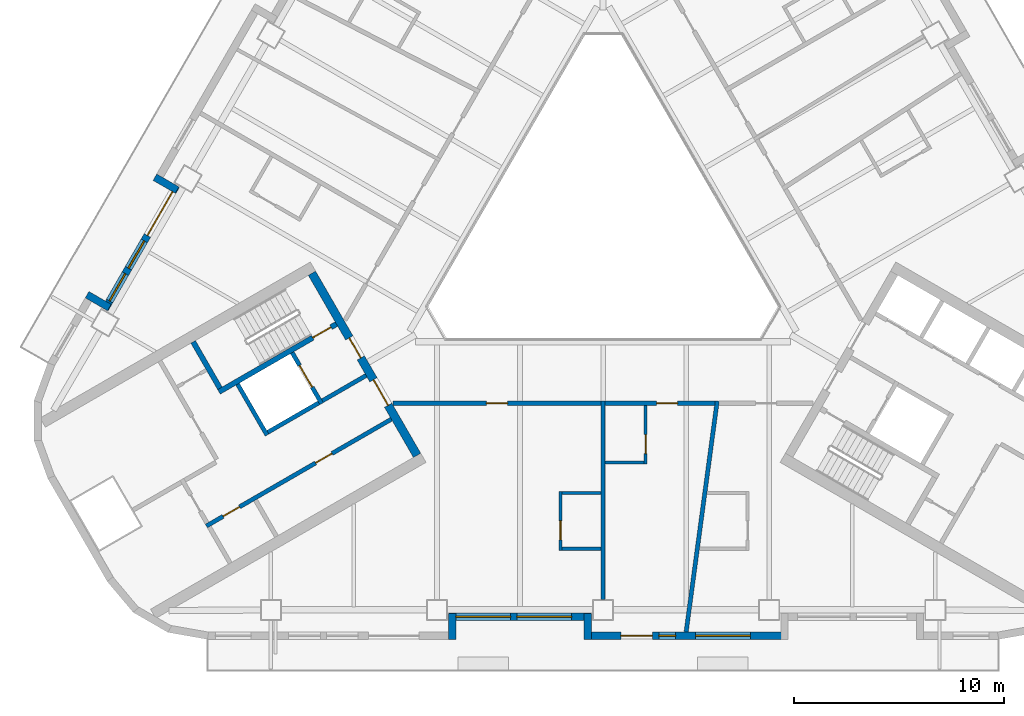
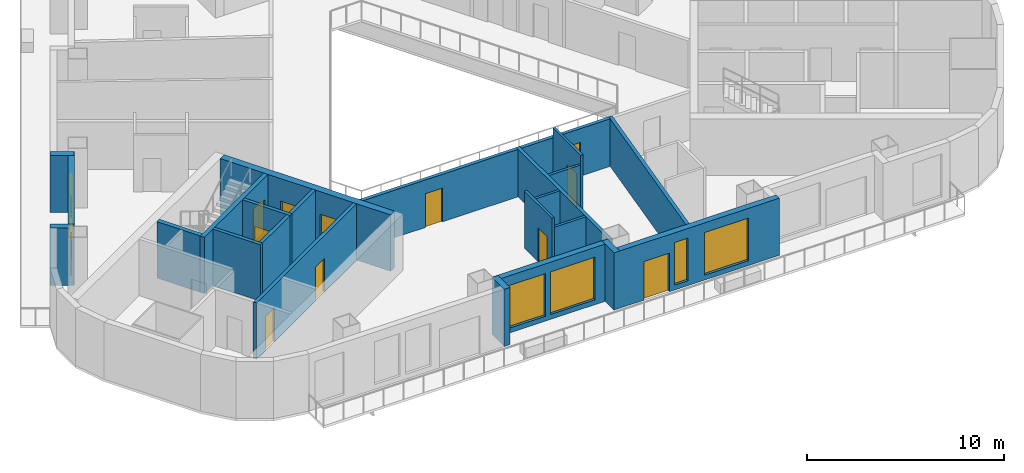
# One storey, part 3 of 13: 24 walls, 12 doors, 6 windows, 18 openings.
"""IFC4 building model written with IfcOpenShell, lengths in metres."""

from ifc_helpers import new_model, si_unit, direction, frame, frame_2d, origin, place, context, subcontext, project, spatial, rectangle, extrude, material, layer, layer_set, type_object, element, fill, save


model = new_model("IFC4")

# Units and contexts
model_context = context("Model", 3, precision=1e-05, world=origin(), true_north=direction((0.0, 1.0)))
body_context = subcontext(model_context, "Body", "Model", "MODEL_VIEW")
ifc_project = project(units=[si_unit("LENGTHUNIT", "METRE"), si_unit("AREAUNIT", "SQUARE_METRE"), si_unit("VOLUMEUNIT", "CUBIC_METRE"), si_unit("PLANEANGLEUNIT", "RADIAN"), si_unit("MASSUNIT", "GRAM", prefix="KILO")], contexts=[model_context])

# Site, building, storey
site_placement = place(None, origin())
site = spatial("IfcSite", under=ifc_project, at=site_placement, CompositionType="ELEMENT")
building_placement = place(site_placement, origin())
building = spatial("IfcBuilding", under=site, at=building_placement, Name="Apuvela Tower Hotel", CompositionType="ELEMENT")
storey_placement = place(building_placement, frame((0.0, 0.0, 65.0)))
storey = spatial("IfcBuildingStorey", under=building, at=storey_placement, Name="L13", CompositionType="ELEMENT", Elevation=65.0)

# Wall, openings, doors
ifc_material_1 = material(Name="Concrete C50/60", Category="concrete")
ifc_layer_1 = layer(ifc_material_1, 0.39990234375)
ifc_layer_set_1 = layer_set([ifc_layer_1], Name="COR-WALL-CORE-400")
wall_type_1 = type_object("IfcWallType", Name="COR-WALL-CORE-400", PredefinedType="SHEAR", material=ifc_layer_set_1)
wall_1_placement = place(storey_placement, frame((-13.844970703125, -2.219970703125, 0.0), z_axis=(0.0, 0.0, 1.0), x_axis=(0.500004234368, -0.866022959057, 0.0)))
wall_1 = element("IfcWall", 1, at=wall_1_placement, inside=storey, type_object=wall_type_1, Name="Core wall SW", PredefinedType="SHEAR", context=body_context, shape_type="SweptSolid", body=[
    extrude(rectangle(XDim=10.0, YDim=0.39990234375, at=frame_2d((5.0, 0.0))), origin(), (0.0, 0.0, 1.0), 3.5),
])
opening_1_placement = place(wall_1_placement, frame((3.550048828125, 0.0, 0.0)))
opening_1 = element("IfcOpeningElement", 2, at=opening_1_placement, cuts=wall_1, Name="Opening W-FD", PredefinedType="OPENING", context=body_context, shape_type="SweptSolid", body=[
    extrude(rectangle(XDim=1.10009765625, YDim=2.10009765625, at=frame_2d((0.550048828125, 1.050048828125))), frame((0.0, 0.2099609375, 0.0), z_axis=(0.0, -1.0, 0.0), x_axis=(1.0, 0.0, 0.0)), (0.0, 0.0, 1.0), 0.419921875),
])
opening_2_placement = place(wall_1_placement, frame((5.85009765625, 0.0, 0.0)))
opening_2 = element("IfcOpeningElement", 3, at=opening_2_placement, cuts=wall_1, Name="Opening W-GD", PredefinedType="OPENING", context=body_context, shape_type="SweptSolid", body=[
    extrude(rectangle(XDim=1.39990234375, YDim=2.10009765625, at=frame_2d((0.699951171875, 1.050048828125))), frame((0.0, 0.2099609375, 0.0), z_axis=(0.0, -1.0, 0.0), x_axis=(1.0, 0.0, 0.0)), (0.0, 0.0, 1.0), 0.419921875),
])
ifc_material_2 = material(Name="Steel fire door, powder coated", Category="steel")
door_type_1 = type_object("IfcDoorType", Name="COR-FD-1100", OperationType="NOTDEFINED", PredefinedType="DOOR", material=ifc_material_2)
door_1_placement = place(opening_1_placement, frame((1.10009765625, 0.0, 0.0), z_axis=(0.0, 0.0, 1.0), x_axis=(-1.0, 0.0, 0.0)))
door_1 = element("IfcDoor", 4, at=door_1_placement, inside=storey, type_object=door_type_1, Name="Firefighting lobby door W-FD", OperationType="SINGLE_SWING_LEFT", OverallHeight=2.10009765625, OverallWidth=1.10009765625, PredefinedType="DOOR", context=body_context, shape_type="SweptSolid", body=[
    extrude(rectangle(XDim=1.10009765625, YDim=2.10009765625, at=frame_2d((0.550048828125, 1.050048828125))), frame((0.0, 0.02490234375, 0.0), z_axis=(0.0, -1.0, 0.0), x_axis=(1.0, 0.0, 0.0)), (0.0, 0.0, 1.0), 0.050048828125),
])
fill(opening_1, door_1)
ifc_material_3 = material(Name="Glazed steel fire door", Category="steel")
door_type_2 = type_object("IfcDoorType", Name="COR-GD-1400", OperationType="DOUBLE_DOOR_SINGLE_SWING", PredefinedType="DOOR", material=ifc_material_3)
door_2_placement = place(opening_2_placement, frame((1.39990234375, 0.0, 0.0), z_axis=(0.0, 0.0, 1.0), x_axis=(-1.0, 0.0, 0.0)))
door_2 = element("IfcDoor", 5, at=door_2_placement, inside=storey, type_object=door_type_2, Name="Lift lobby door W-GD", OperationType="DOUBLE_DOOR_SINGLE_SWING", OverallHeight=2.10009765625, OverallWidth=1.39990234375, PredefinedType="DOOR", context=body_context, shape_type="SweptSolid", body=[
    extrude(rectangle(XDim=1.39990234375, YDim=2.10009765625, at=frame_2d((0.699951171875, 1.050048828125))), frame((0.0, 0.02490234375, 0.0), z_axis=(0.0, -1.0, 0.0), x_axis=(1.0, 0.0, 0.0)), (0.0, 0.0, 1.0), 0.050048828125),
])
fill(opening_2, door_2)

# Wall
ifc_layer_2 = layer(ifc_material_1, 0.199951171875)
ifc_layer_set_2 = layer_set([ifc_layer_2], Name="COR-WALL-SHAFT-200")
wall_type_2 = type_object("IfcWallType", Name="COR-WALL-SHAFT-200", PredefinedType="SHEAR", material=ifc_layer_set_2)
wall_2_placement = place(storey_placement, frame((-17.38134765625, -7.49462890625, 0.0), z_axis=(0.0, 0.0, 1.0), x_axis=(0.500011755427, -0.866018616679, 0.0)))
element("IfcWall", 6, at=wall_2_placement, inside=storey, type_object=wall_type_2, Name="Shaft wall SW", PredefinedType="SHEAR", context=body_context, shape_type="SweptSolid", body=[
    extrude(rectangle(XDim=2.80029296875, YDim=0.199951171875, at=frame_2d((1.400146484375, 0.0))), origin(), (0.0, 0.0, 1.0), 3.5),
])

# Wall, opening, door
wall_3_placement = place(storey_placement, frame((-14.783203125, -5.99462890625, 0.0), z_axis=(0.0, 0.0, 1.0), x_axis=(0.49994636267, -0.866056369097, 0.0)))
wall_3 = element("IfcWall", 7, at=wall_3_placement, inside=storey, type_object=wall_type_2, Name="Shaft wall SW", PredefinedType="SHEAR", context=body_context, shape_type="SweptSolid", body=[
    extrude(rectangle(XDim=2.800048828125, YDim=0.199951171875, at=frame_2d((1.39990234375, 0.0))), origin(), (0.0, 0.0, 1.0), 3.5),
])
opening_3_placement = place(wall_3_placement, frame((0.699951171875, 0.0, 0.0)))
opening_3 = element("IfcOpeningElement", 8, at=opening_3_placement, cuts=wall_3, Name="Opening W-LD-FS2", PredefinedType="OPENING", context=body_context, shape_type="SweptSolid", body=[
    extrude(rectangle(XDim=1.199951171875, YDim=2.10009765625, at=frame_2d((0.60009765625, 1.050048828125))), frame((0.0, 0.10986328125, 0.0), z_axis=(0.0, -1.0, 0.0), x_axis=(1.0, 0.0, 0.0)), (0.0, 0.0, 1.0), 0.219970703125),
])
ifc_material_4 = material(Name="Stainless steel lift landing door", Category="steel")
door_type_3 = type_object("IfcDoorType", Name="COR-LD-1200", OperationType="DOUBLE_DOOR_SLIDING", PredefinedType="DOOR", material=ifc_material_4)
door_3_placement = place(opening_3_placement, origin())
door_3 = element("IfcDoor", 9, at=door_3_placement, inside=storey, type_object=door_type_3, Name="Lift landing door W-LD-FS2", OperationType="DOUBLE_DOOR_SLIDING", OverallHeight=2.10009765625, OverallWidth=1.199951171875, PredefinedType="DOOR", context=body_context, shape_type="SweptSolid", body=[
    extrude(rectangle(XDim=1.199951171875, YDim=2.10009765625, at=frame_2d((0.60009765625, 1.050048828125))), frame((0.0, 0.02490234375, 0.0), z_axis=(0.0, -1.0, 0.0), x_axis=(1.0, 0.0, 0.0)), (0.0, 0.0, 1.0), 0.050048828125),
])
fill(opening_3, door_3)

# Walls
wall_4_placement = place(storey_placement, frame((-13.519775390625, -8.383056640625, 0.0), z_axis=(0.0, 0.0, 1.0), x_axis=(-0.866034573852, -0.49998411664, 0.0)))
element("IfcWall", 10, at=wall_4_placement, inside=storey, type_object=wall_type_2, Name="Shaft wall SW", PredefinedType="SHEAR", context=body_context, shape_type="SweptSolid", body=[
    extrude(rectangle(XDim=2.7998046875, YDim=0.199951171875, at=frame_2d((1.39990234375, 0.0))), origin(), (0.0, 0.0, 1.0), 3.5),
])
wall_5_placement = place(storey_placement, frame((-11.26806640625, -7.0830078125, 0.0), z_axis=(0.0, 0.0, 1.0), x_axis=(-0.866050077142, -0.499957262057, 0.0)))
element("IfcWall", 11, at=wall_5_placement, inside=storey, type_object=wall_type_2, Name="Shaft wall SW", PredefinedType="SHEAR", context=body_context, shape_type="SweptSolid", body=[
    extrude(rectangle(XDim=2.400146484375, YDim=0.199951171875, at=frame_2d((1.2001953125, 0.0))), origin(), (0.0, 0.0, 1.0), 3.5),
])

# Wall, openings, doors
wall_6_placement = place(storey_placement, frame((-10.068115234375, -9.16162109375, 0.0), z_axis=(0.0, 0.0, 1.0), x_axis=(-0.866032725843, -0.499987317609, 0.0)))
wall_6 = element("IfcWall", 12, at=wall_6_placement, inside=storey, type_object=wall_type_2, Name="Shaft wall SW", PredefinedType="SHEAR", context=body_context, shape_type="SweptSolid", body=[
    extrude(rectangle(XDim=10.159912109375, YDim=0.199951171875, at=frame_2d((5.080078125, 0.0))), origin(), (0.0, 0.0, 1.0), 3.5),
])
opening_4_placement = place(wall_6_placement, frame((3.260009765625, 0.0, 0.0)))
opening_4 = element("IfcOpeningElement", 13, at=opening_4_placement, cuts=wall_6, Name="Opening W-RE1", PredefinedType="OPENING", context=body_context, shape_type="SweptSolid", body=[
    extrude(rectangle(XDim=0.89990234375, YDim=2.10009765625, at=frame_2d((0.449951171875, 1.050048828125))), frame((0.0, 0.10986328125, 0.0), z_axis=(0.0, -1.0, 0.0), x_axis=(1.0, 0.0, 0.0)), (0.0, 0.0, 1.0), 0.219970703125),
])
opening_5_placement = place(wall_6_placement, frame((8.340087890625, 0.0, 0.0)))
opening_5 = element("IfcOpeningElement", 14, at=opening_5_placement, cuts=wall_6, Name="Opening W-RE4", PredefinedType="OPENING", context=body_context, shape_type="SweptSolid", body=[
    extrude(rectangle(XDim=0.89990234375, YDim=2.10009765625, at=frame_2d((0.449951171875, 1.050048828125))), frame((0.0, 0.10986328125, 0.0), z_axis=(0.0, -1.0, 0.0), x_axis=(1.0, 0.0, 0.0)), (0.0, 0.0, 1.0), 0.219970703125),
])
door_type_4 = type_object("IfcDoorType", Name="COR-DR-900", OperationType="NOTDEFINED", PredefinedType="DOOR", material=ifc_material_2)
door_4_placement = place(opening_4_placement, origin())
door_4 = element("IfcDoor", 15, at=door_4_placement, inside=storey, type_object=door_type_4, Name="Store door W-RE1", OperationType="SINGLE_SWING_LEFT", OverallHeight=2.10009765625, OverallWidth=0.89990234375, PredefinedType="DOOR", context=body_context, shape_type="SweptSolid", body=[
    extrude(rectangle(XDim=0.89990234375, YDim=2.10009765625, at=frame_2d((0.449951171875, 1.050048828125))), frame((0.0, 0.02490234375, 0.0), z_axis=(0.0, -1.0, 0.0), x_axis=(1.0, 0.0, 0.0)), (0.0, 0.0, 1.0), 0.050048828125),
])
fill(opening_4, door_4)
door_5_placement = place(opening_5_placement, origin())
door_5 = element("IfcDoor", 16, at=door_5_placement, inside=storey, type_object=door_type_4, Name="Store door W-RE4", OperationType="SINGLE_SWING_RIGHT", OverallHeight=2.10009765625, OverallWidth=0.89990234375, PredefinedType="DOOR", context=body_context, shape_type="SweptSolid", body=[
    extrude(rectangle(XDim=0.89990234375, YDim=2.10009765625, at=frame_2d((0.449951171875, 1.050048828125))), frame((0.0, 0.02490234375, 0.0), z_axis=(0.0, -1.0, 0.0), x_axis=(1.0, 0.0, 0.0)), (0.0, 0.0, 1.0), 0.050048828125),
])
fill(opening_5, door_5)

# Wall, opening, door
ifc_layer_3 = layer(ifc_material_1, 0.25)
ifc_layer_set_3 = layer_set([ifc_layer_3], Name="COR-WALL-STAIR-250")
wall_type_3 = type_object("IfcWallType", Name="COR-WALL-STAIR-250", PredefinedType="SHEAR", material=ifc_layer_set_3)
wall_7_placement = place(storey_placement, frame((-12.6806640625, -4.636474609375, 0.0), z_axis=(0.0, 0.0, 1.0), x_axis=(-0.866021702275, -0.500006411147, 0.0)))
wall_7 = element("IfcWall", 17, at=wall_7_placement, inside=storey, type_object=wall_type_3, Name="Stair wall SW", PredefinedType="SHEAR", context=body_context, shape_type="SweptSolid", body=[
    extrude(rectangle(XDim=6.4501953125, YDim=0.25, at=frame_2d((3.22509765625, 0.0))), origin(), (0.0, 0.0, 1.0), 3.5),
])
opening_6_placement = place(wall_7_placement, frame((0.300048828125, 0.0, 0.0)))
opening_6 = element("IfcOpeningElement", 18, at=opening_6_placement, cuts=wall_7, Name="Opening W-SD", PredefinedType="OPENING", context=body_context, shape_type="SweptSolid", body=[
    extrude(rectangle(XDim=1.0, YDim=2.10009765625, at=frame_2d((0.5, 1.050048828125))), frame((0.0, 0.135009765625, 0.0), z_axis=(0.0, -1.0, 0.0), x_axis=(1.0, 0.0, 0.0)), (0.0, 0.0, 1.0), 0.27001953125),
])
door_type_5 = type_object("IfcDoorType", Name="COR-SD-1000", OperationType="NOTDEFINED", PredefinedType="DOOR", material=ifc_material_2)
door_6_placement = place(opening_6_placement, frame((1.0, 0.0, 0.0), z_axis=(0.0, 0.0, 1.0), x_axis=(-1.0, 0.0, 0.0)))
door_6 = element("IfcDoor", 19, at=door_6_placement, inside=storey, type_object=door_type_5, Name="Stair door W-SD", OperationType="SINGLE_SWING_LEFT", OverallHeight=2.10009765625, OverallWidth=1.0, PredefinedType="DOOR", context=body_context, shape_type="SweptSolid", body=[
    extrude(rectangle(XDim=1.0, YDim=2.10009765625, at=frame_2d((0.5, 1.050048828125))), frame((0.0, 0.02490234375, 0.0), z_axis=(0.0, -1.0, 0.0), x_axis=(1.0, 0.0, 0.0)), (0.0, 0.0, 1.0), 0.050048828125),
])
fill(opening_6, door_6)

# Walls
wall_8_placement = place(storey_placement, frame((-19.49560546875, -5.482421875, 0.0), z_axis=(0.0, 0.0, 1.0), x_axis=(0.499990435942, -0.866030925526, 0.0)))
element("IfcWall", 20, at=wall_8_placement, inside=storey, type_object=wall_type_3, Name="Stair wall SW", PredefinedType="SHEAR", context=body_context, shape_type="SweptSolid", body=[
    extrude(rectangle(XDim=2.5498046875, YDim=0.25, at=frame_2d((1.27490234375, 0.0))), origin(), (0.0, 0.0, 1.0), 3.5),
])
ifc_material_5 = material(Name="Concrete C40/50, dark pigmented precast panel", Category="concrete")
ifc_layer_4 = layer(ifc_material_5, 0.35009765625)
ifc_layer_set_4 = layer_set([ifc_layer_4], Name="ENV-WALL-350")
wall_type_4 = type_object("IfcWallType", Name="ENV-WALL-350", PredefinedType="SOLIDWALL", material=ifc_layer_set_4)
wall_9_placement = place(storey_placement, frame((-21.3125, 2.345703125, 0.0), z_axis=(0.0, 0.0, 1.0), x_axis=(0.866005645448, -0.500034220881, 0.0)))
element("IfcWall", 21, at=wall_9_placement, inside=storey, type_object=wall_type_4, Name="External wall L13-06", PredefinedType="SOLIDWALL", context=body_context, shape_type="SweptSolid", body=[
    extrude(rectangle(XDim=1.22021484375, YDim=0.35009765625, at=frame_2d((0.610107421875, 0.0))), origin(), (0.0, 0.0, 1.0), 3.550048828125),
])

# Wall, openings, door, windows
wall_10_placement = place(storey_placement, frame((-20.30908203125, 1.93359375, 0.0), z_axis=(0.0, 0.0, 1.0), x_axis=(-0.499992114976, -0.866029956157, 0.0)))
wall_10 = element("IfcWall", 22, at=wall_10_placement, inside=storey, type_object=wall_type_4, Name="External wall L13-07", PredefinedType="SOLIDWALL", context=body_context, shape_type="SweptSolid", body=[
    extrude(rectangle(XDim=6.73974609375, YDim=0.35009765625, at=frame_2d((3.369873046875, 0.0))), origin(), (0.0, 0.0, 1.0), 3.550048828125),
])
opening_7_placement = place(wall_10_placement, frame((0.320068359375, 0.0, 0.0)))
opening_7 = element("IfcOpeningElement", 23, at=opening_7_placement, cuts=wall_10, Name="Opening BD24", PredefinedType="OPENING", context=body_context, shape_type="SweptSolid", body=[
    extrude(rectangle(XDim=2.39990234375, YDim=2.39990234375, at=frame_2d((1.199951171875, 1.199951171875))), frame((0.0, 0.18505859375, 0.0), z_axis=(0.0, -1.0, 0.0), x_axis=(1.0, 0.0, 0.0)), (0.0, 0.0, 1.0), 0.3701171875),
])
opening_8_placement = place(wall_10_placement, frame((3.02001953125, 0.0, 0.300048828125)))
opening_8 = element("IfcOpeningElement", 24, at=opening_8_placement, cuts=wall_10, Name="Opening WN15", PredefinedType="OPENING", context=body_context, shape_type="SweptSolid", body=[
    extrude(rectangle(XDim=1.5, YDim=2.64990234375, at=frame_2d((0.75, 1.324951171875))), frame((0.0, 0.18505859375, 0.0), z_axis=(0.0, -1.0, 0.0), x_axis=(1.0, 0.0, 0.0)), (0.0, 0.0, 1.0), 0.3701171875),
])
opening_9_placement = place(wall_10_placement, frame((4.820068359375, 0.0, 0.300048828125)))
opening_9 = element("IfcOpeningElement", 25, at=opening_9_placement, cuts=wall_10, Name="Opening WN15", PredefinedType="OPENING", context=body_context, shape_type="SweptSolid", body=[
    extrude(rectangle(XDim=1.5, YDim=2.64990234375, at=frame_2d((0.75, 1.324951171875))), frame((0.0, 0.18505859375, 0.0), z_axis=(0.0, -1.0, 0.0), x_axis=(1.0, 0.0, 0.0)), (0.0, 0.0, 1.0), 0.3701171875),
])
ifc_material_6 = material(Name="Aluminium 6063-T6, dark bronze anodised frame with dark tinted laminated glass", Category="aluminium")
door_type_6 = type_object("IfcDoorType", Name="ENV-DOOR-BALCONY-2400x2400", OperationType="SLIDING_TO_LEFT", PredefinedType="DOOR", material=ifc_material_6)
door_7_placement = place(opening_7_placement, frame((2.39990234375, 0.0, 0.0), z_axis=(0.0, 0.0, 1.0), x_axis=(-1.0, 0.0, 0.0)))
door_7 = element("IfcDoor", 26, at=door_7_placement, inside=storey, type_object=door_type_6, Name="Balcony door BD24", OperationType="SLIDING_TO_LEFT", OverallHeight=2.39990234375, OverallWidth=2.39990234375, PredefinedType="DOOR", context=body_context, shape_type="SweptSolid", body=[
    extrude(rectangle(XDim=2.39990234375, YDim=2.39990234375, at=frame_2d((1.199951171875, 1.199951171875))), frame((0.0, 0.02490234375, 0.0), z_axis=(0.0, -1.0, 0.0), x_axis=(1.0, 0.0, 0.0)), (0.0, 0.0, 1.0), 0.050048828125),
])
fill(opening_7, door_7)
ifc_material_7 = material(Name="Glass, dark tinted laminated insulated glazing unit", Category="glass")
window_type_1 = type_object("IfcWindowType", Name="ENV-WIN-1500x2650", PartitioningType="SINGLE_PANEL", PredefinedType="WINDOW", material=ifc_material_7)
window_1_placement = place(opening_8_placement, origin())
window_1 = element("IfcWindow", 27, at=window_1_placement, inside=storey, type_object=window_type_1, Name="Window WN15", OverallHeight=2.64990234375, OverallWidth=1.5, PartitioningType="SINGLE_PANEL", PredefinedType="WINDOW", context=body_context, shape_type="SweptSolid", body=[
    extrude(rectangle(XDim=1.5, YDim=2.64990234375, at=frame_2d((0.75, 1.324951171875))), frame((0.0, 0.030029296875, 0.0), z_axis=(0.0, -1.0, 0.0), x_axis=(1.0, 0.0, 0.0)), (0.0, 0.0, 1.0), 0.06005859375),
])
fill(opening_8, window_1)
window_2_placement = place(opening_9_placement, origin())
window_2 = element("IfcWindow", 28, at=window_2_placement, inside=storey, type_object=window_type_1, Name="Window WN15", OverallHeight=2.64990234375, OverallWidth=1.5, PartitioningType="SINGLE_PANEL", PredefinedType="WINDOW", context=body_context, shape_type="SweptSolid", body=[
    extrude(rectangle(XDim=1.5, YDim=2.64990234375, at=frame_2d((0.75, 1.324951171875))), frame((0.0, 0.030029296875, 0.0), z_axis=(0.0, -1.0, 0.0), x_axis=(1.0, 0.0, 0.0)), (0.0, 0.0, 1.0), 0.06005859375),
])
fill(opening_9, window_2)

# Walls
for number, where, z_axis, x_axis, name in (
    (29, (-23.48095703125, -3.85009765625, 0.0), (0.0, 0.0, 1.0), (-0.866092288191, 0.499884134912, 0.0), "External wall L13-08"),
    (30, (-7.175048828125, -19.6298828125, 0.0), (0.0, 0.0, 1.0), (0.0, 1.0, 0.0), "External wall L13-18"),
):
    element("IfcWall", number, at=place(storey_placement, frame(where, z_axis=z_axis, x_axis=x_axis)), inside=storey, type_object=wall_type_4, Name=name, PredefinedType="SOLIDWALL", context=body_context, shape_type="SweptSolid", body=[
        extrude(rectangle(XDim=1.219970703125, YDim=0.35009765625, at=frame_2d((0.60986328125, 0.0))), origin(), (0.0, 0.0, 1.0), 3.550048828125),
    ])

# Wall, openings, windows
wall_11_placement = place(storey_placement, frame((-7.320068359375, -18.554931640625, 0.0), z_axis=(0.0, 0.0, 1.0), x_axis=(1.0, 0.0, 0.0)))
wall_11 = element("IfcWall", 31, at=wall_11_placement, inside=storey, type_object=wall_type_4, Name="External wall L13-19", PredefinedType="SOLIDWALL", context=body_context, shape_type="SweptSolid", body=[
    extrude(rectangle(XDim=6.739990234375, YDim=0.35009765625, at=frame_2d((3.3701171875, 0.0))), origin(), (0.0, 0.0, 1.0), 3.550048828125),
])
opening_10_placement = place(wall_11_placement, frame((0.3203125, 0.0, 0.300048828125)))
opening_10 = element("IfcOpeningElement", 32, at=opening_10_placement, cuts=wall_11, Name="Opening WN26", PredefinedType="OPENING", context=body_context, shape_type="SweptSolid", body=[
    extrude(rectangle(XDim=2.60009765625, YDim=2.64990234375, at=frame_2d((1.300048828125, 1.324951171875))), frame((0.0, 0.18505859375, 0.0), z_axis=(0.0, -1.0, 0.0), x_axis=(1.0, 0.0, 0.0)), (0.0, 0.0, 1.0), 0.3701171875),
])
opening_11_placement = place(wall_11_placement, frame((3.220458984375, 0.0, 0.300048828125)))
opening_11 = element("IfcOpeningElement", 33, at=opening_11_placement, cuts=wall_11, Name="Opening WN26", PredefinedType="OPENING", context=body_context, shape_type="SweptSolid", body=[
    extrude(rectangle(XDim=2.60009765625, YDim=2.64990234375, at=frame_2d((1.300048828125, 1.324951171875))), frame((0.0, 0.18505859375, 0.0), z_axis=(0.0, -1.0, 0.0), x_axis=(1.0, 0.0, 0.0)), (0.0, 0.0, 1.0), 0.3701171875),
])
window_type_2 = type_object("IfcWindowType", Name="ENV-WIN-2600x2650", PartitioningType="SINGLE_PANEL", PredefinedType="WINDOW", material=ifc_material_7)
window_3_placement = place(opening_10_placement, origin())
window_3 = element("IfcWindow", 34, at=window_3_placement, inside=storey, type_object=window_type_2, Name="Window WN26", OverallHeight=2.64990234375, OverallWidth=2.60009765625, PartitioningType="SINGLE_PANEL", PredefinedType="WINDOW", context=body_context, shape_type="SweptSolid", body=[
    extrude(rectangle(XDim=2.60009765625, YDim=2.64990234375, at=frame_2d((1.300048828125, 1.324951171875))), frame((0.0, 0.030029296875, 0.0), z_axis=(0.0, -1.0, 0.0), x_axis=(1.0, 0.0, 0.0)), (0.0, 0.0, 1.0), 0.06005859375),
])
fill(opening_10, window_3)
window_4_placement = place(opening_11_placement, origin())
window_4 = element("IfcWindow", 35, at=window_4_placement, inside=storey, type_object=window_type_2, Name="Window WN26", OverallHeight=2.64990234375, OverallWidth=2.60009765625, PartitioningType="SINGLE_PANEL", PredefinedType="WINDOW", context=body_context, shape_type="SweptSolid", body=[
    extrude(rectangle(XDim=2.60009765625, YDim=2.64990234375, at=frame_2d((1.300048828125, 1.324951171875))), frame((0.0, 0.030029296875, 0.0), z_axis=(0.0, -1.0, 0.0), x_axis=(1.0, 0.0, 0.0)), (0.0, 0.0, 1.0), 0.06005859375),
])
fill(opening_11, window_4)

# Wall
wall_12_placement = place(storey_placement, frame((-0.72509765625, -18.409912109375, 0.0), z_axis=(0.0, 0.0, 1.0), x_axis=(0.0, -1.0, 0.0)))
element("IfcWall", 36, at=wall_12_placement, inside=storey, type_object=wall_type_4, Name="External wall L13-20", PredefinedType="SOLIDWALL", context=body_context, shape_type="SweptSolid", body=[
    extrude(rectangle(XDim=1.219970703125, YDim=0.35009765625, at=frame_2d((0.60986328125, 0.0))), origin(), (0.0, 0.0, 1.0), 3.550048828125),
])

# Wall, openings, door, windows
wall_13_placement = place(storey_placement, frame((-0.89990234375, -19.455078125, 0.0), z_axis=(0.0, 0.0, 1.0), x_axis=(1.0, 0.0, 0.0)))
wall_13 = element("IfcWall", 37, at=wall_13_placement, inside=storey, type_object=wall_type_4, Name="External wall L13-21", PredefinedType="SOLIDWALL", context=body_context, shape_type="SweptSolid", body=[
    extrude(rectangle(XDim=9.699951171875, YDim=0.35009765625, at=frame_2d((4.85009765625, 0.0))), origin(), (0.0, 0.0, 1.0), 3.550048828125),
])
opening_12_placement = place(wall_13_placement, frame((1.75, 0.0, 0.0)))
opening_12 = element("IfcOpeningElement", 38, at=opening_12_placement, cuts=wall_13, Name="Opening BD15", PredefinedType="OPENING", context=body_context, shape_type="SweptSolid", body=[
    extrude(rectangle(XDim=1.5, YDim=2.39990234375, at=frame_2d((0.75, 1.199951171875))), frame((0.0, 0.18505859375, 0.0), z_axis=(0.0, -1.0, 0.0), x_axis=(1.0, 0.0, 0.0)), (0.0, 0.0, 1.0), 0.3701171875),
])
opening_13_placement = place(wall_13_placement, frame((3.550048828125, 0.0, 0.300048828125)))
opening_13 = element("IfcOpeningElement", 39, at=opening_13_placement, cuts=wall_13, Name="Opening WN08", PredefinedType="OPENING", context=body_context, shape_type="SweptSolid", body=[
    extrude(rectangle(XDim=0.800048828125, YDim=2.64990234375, at=frame_2d((0.39990234375, 1.324951171875))), frame((0.0, 0.18505859375, 0.0), z_axis=(0.0, -1.0, 0.0), x_axis=(1.0, 0.0, 0.0)), (0.0, 0.0, 1.0), 0.3701171875),
])
opening_14_placement = place(wall_13_placement, frame((5.30078125, 0.0, 0.300048828125)))
opening_14 = element("IfcOpeningElement", 40, at=opening_14_placement, cuts=wall_13, Name="Opening WN26", PredefinedType="OPENING", context=body_context, shape_type="SweptSolid", body=[
    extrude(rectangle(XDim=2.60009765625, YDim=2.64990234375, at=frame_2d((1.300048828125, 1.324951171875))), frame((0.0, 0.18505859375, 0.0), z_axis=(0.0, -1.0, 0.0), x_axis=(1.0, 0.0, 0.0)), (0.0, 0.0, 1.0), 0.3701171875),
])
door_type_7 = type_object("IfcDoorType", Name="ENV-DOOR-BALCONY-1500x2400", OperationType="SLIDING_TO_LEFT", PredefinedType="DOOR", material=ifc_material_6)
door_8_placement = place(opening_12_placement, frame((1.5, 0.0, 0.0), z_axis=(0.0, 0.0, 1.0), x_axis=(-1.0, 0.0, 0.0)))
door_8 = element("IfcDoor", 41, at=door_8_placement, inside=storey, type_object=door_type_7, Name="Balcony door BD15", OperationType="SLIDING_TO_LEFT", OverallHeight=2.39990234375, OverallWidth=1.5, PredefinedType="DOOR", context=body_context, shape_type="SweptSolid", body=[
    extrude(rectangle(XDim=1.5, YDim=2.39990234375, at=frame_2d((0.75, 1.199951171875))), frame((0.0, 0.02490234375, 0.0), z_axis=(0.0, -1.0, 0.0), x_axis=(1.0, 0.0, 0.0)), (0.0, 0.0, 1.0), 0.050048828125),
])
fill(opening_12, door_8)
window_5_placement = place(opening_14_placement, origin())
window_5 = element("IfcWindow", 42, at=window_5_placement, inside=storey, type_object=window_type_2, Name="Window WN26", OverallHeight=2.64990234375, OverallWidth=2.60009765625, PartitioningType="SINGLE_PANEL", PredefinedType="WINDOW", context=body_context, shape_type="SweptSolid", body=[
    extrude(rectangle(XDim=2.60009765625, YDim=2.64990234375, at=frame_2d((1.300048828125, 1.324951171875))), frame((0.0, 0.030029296875, 0.0), z_axis=(0.0, -1.0, 0.0), x_axis=(1.0, 0.0, 0.0)), (0.0, 0.0, 1.0), 0.06005859375),
])
fill(opening_14, window_5)
window_type_3 = type_object("IfcWindowType", Name="ENV-WIN-800x2650", PartitioningType="SINGLE_PANEL", PredefinedType="WINDOW", material=ifc_material_7)
window_6_placement = place(opening_13_placement, origin())
window_6 = element("IfcWindow", 43, at=window_6_placement, inside=storey, type_object=window_type_3, Name="Window WN08", OverallHeight=2.64990234375, OverallWidth=0.800048828125, PartitioningType="SINGLE_PANEL", PredefinedType="WINDOW", context=body_context, shape_type="SweptSolid", body=[
    extrude(rectangle(XDim=0.800048828125, YDim=2.64990234375, at=frame_2d((0.39990234375, 1.324951171875))), frame((0.0, 0.030029296875, 0.0), z_axis=(0.0, -1.0, 0.0), x_axis=(1.0, 0.0, 0.0)), (0.0, 0.0, 1.0), 0.06005859375),
])
fill(opening_13, window_6)

# Walls
ifc_material_8 = material(Name="Gypsum board partition on twin steel stud", Category="steel")
ifc_layer_5 = layer(ifc_material_8, 0.199951171875)
ifc_layer_set_5 = layer_set([ifc_layer_5], Name="GST-PW1")
wall_type_5 = type_object("IfcWallType", Name="GST-PW1", PredefinedType="PARTITIONING", material=ifc_layer_set_5)
wall_14_placement = place(storey_placement, frame((0.0, -17.72998046875, 0.0), z_axis=(0.0, 0.0, 1.0), x_axis=(0.0, 1.0, 0.0)))
element("IfcWall", 44, at=wall_14_placement, inside=storey, type_object=wall_type_5, Name="L13 partition 01", PredefinedType="PARTITIONING", context=body_context, shape_type="SweptSolid", body=[
    extrude(rectangle(XDim=9.429931640625, YDim=0.199951171875, at=frame_2d((4.71484375, 0.0))), origin(), (0.0, 0.0, 1.0), 2.949951171875),
])
wall_15_placement = place(storey_placement, frame((3.949951171875, -19.280029296875, 0.0), z_axis=(0.0, 0.0, 1.0), x_axis=(0.133321271807, 0.991072872439, 0.0)))
element("IfcWall", 45, at=wall_15_placement, inside=storey, type_object=wall_type_5, Name="L13 partition 02", PredefinedType="PARTITIONING", context=body_context, shape_type="SweptSolid", body=[
    extrude(rectangle(XDim=11.078857421875, YDim=0.199951171875, at=frame_2d((5.53955078125, 0.0))), origin(), (0.0, 0.0, 1.0), 2.949951171875),
])

# Wall, opening, door
ifc_material_9 = material(Name="Gypsum board corridor wall on twin steel stud, acoustic", Category="steel")
ifc_layer_6 = layer(ifc_material_9, 0.199951171875)
ifc_layer_set_6 = layer_set([ifc_layer_6], Name="GST-PW2")
wall_type_6 = type_object("IfcWallType", Name="GST-PW2", PredefinedType="PARTITIONING", material=ifc_layer_set_6)
wall_16_placement = place(storey_placement, frame((-0.10009765625, -8.39990234375, 0.0), z_axis=(0.0, 0.0, 1.0), x_axis=(-1.0, 0.0, 0.0)))
wall_16 = element("IfcWall", 46, at=wall_16_placement, inside=storey, type_object=wall_type_6, Name="L13 partition 07", PredefinedType="PARTITIONING", context=body_context, shape_type="SweptSolid", body=[
    extrude(rectangle(XDim=9.88818359375, YDim=0.199951171875, at=frame_2d((4.944091796875, 0.0))), origin(), (0.0, 0.0, 1.0), 2.949951171875),
])
opening_15_placement = place(wall_16_placement, frame((4.444091796875, 0.0, 0.0)))
opening_15 = element("IfcOpeningElement", 47, at=opening_15_placement, cuts=wall_16, Name="Opening GD03-02", PredefinedType="OPENING", context=body_context, shape_type="SweptSolid", body=[
    extrude(rectangle(XDim=1.0, YDim=2.10009765625, at=frame_2d((0.5, 1.050048828125))), frame((0.0, 0.10986328125, 0.0), z_axis=(0.0, -1.0, 0.0), x_axis=(1.0, 0.0, 0.0)), (0.0, 0.0, 1.0), 0.219970703125),
])
ifc_material_10 = material(Name="Timber door leaf in steel frame", Category="steel")
door_type_8 = type_object("IfcDoorType", Name="GST-D1", OperationType="NOTDEFINED", PredefinedType="DOOR", material=ifc_material_10)
door_9_placement = place(opening_15_placement, origin())
door_9 = element("IfcDoor", 48, at=door_9_placement, inside=storey, type_object=door_type_8, Name="Door L13-02", OperationType="SINGLE_SWING_LEFT", OverallHeight=2.10009765625, OverallWidth=1.0, PredefinedType="DOOR", context=body_context, shape_type="SweptSolid", body=[
    extrude(rectangle(XDim=1.0, YDim=2.10009765625, at=frame_2d((0.5, 1.050048828125))), frame((0.0, 0.02490234375, 0.0), z_axis=(0.0, -1.0, 0.0), x_axis=(1.0, 0.0, 0.0)), (0.0, 0.0, 1.0), 0.050048828125),
])
fill(opening_15, door_9)

wall_17_placement = place(storey_placement, frame((5.3125, -8.39990234375, 0.0), z_axis=(0.0, 0.0, 1.0), x_axis=(-1.0, 0.0, 0.0)))
wall_17 = element("IfcWall", 49, at=wall_17_placement, inside=storey, type_object=wall_type_6, Name="L13 partition 11", PredefinedType="PARTITIONING", context=body_context, shape_type="SweptSolid", body=[
    extrude(rectangle(XDim=5.21240234375, YDim=0.199951171875, at=frame_2d((2.606201171875, 0.0))), origin(), (0.0, 0.0, 1.0), 2.949951171875),
])
opening_16_placement = place(wall_17_placement, frame((1.7626953125, 0.0, 0.0)))
opening_16 = element("IfcOpeningElement", 50, at=opening_16_placement, cuts=wall_17, Name="Opening GD03-04", PredefinedType="OPENING", context=body_context, shape_type="SweptSolid", body=[
    extrude(rectangle(XDim=1.0, YDim=2.10009765625, at=frame_2d((0.5, 1.050048828125))), frame((0.0, 0.10986328125, 0.0), z_axis=(0.0, -1.0, 0.0), x_axis=(1.0, 0.0, 0.0)), (0.0, 0.0, 1.0), 0.219970703125),
])
door_10_placement = place(opening_16_placement, origin())
door_10 = element("IfcDoor", 51, at=door_10_placement, inside=storey, type_object=door_type_8, Name="Door L13-04", OperationType="SINGLE_SWING_LEFT", OverallHeight=2.10009765625, OverallWidth=1.0, PredefinedType="DOOR", context=body_context, shape_type="SweptSolid", body=[
    extrude(rectangle(XDim=1.0, YDim=2.10009765625, at=frame_2d((0.5, 1.050048828125))), frame((0.0, 0.02490234375, 0.0), z_axis=(0.0, -1.0, 0.0), x_axis=(1.0, 0.0, 0.0)), (0.0, 0.0, 1.0), 0.050048828125),
])
fill(opening_16, door_10)

ifc_material_11 = material(Name="Moisture-resistant gypsum board wet wall on steel stud", Category="steel")
ifc_layer_7 = layer(ifc_material_11, 0.14990234375)
ifc_layer_set_7 = layer_set([ifc_layer_7], Name="GST-PW3")
wall_type_7 = type_object("IfcWallType", Name="GST-PW3", PredefinedType="PARTITIONING", material=ifc_layer_set_7)
wall_18_placement = place(storey_placement, frame((-2.02490234375, -12.60009765625, 0.0), z_axis=(0.0, 0.0, 1.0), x_axis=(0.0, -1.0, 0.0)))
wall_18 = element("IfcWall", 52, at=wall_18_placement, inside=storey, type_object=wall_type_7, Name="L13 partition 08", PredefinedType="PARTITIONING", context=body_context, shape_type="SweptSolid", body=[
    extrude(rectangle(XDim=2.7998046875, YDim=0.14990234375, at=frame_2d((1.39990234375, 0.0))), origin(), (0.0, 0.0, 1.0), 3.550048828125),
])
opening_17_placement = place(wall_18_placement, frame((1.39990234375, 0.0, 0.0)))
opening_17 = element("IfcOpeningElement", 53, at=opening_17_placement, cuts=wall_18, Name="Opening GD03-01", PredefinedType="OPENING", context=body_context, shape_type="SweptSolid", body=[
    extrude(rectangle(XDim=0.89990234375, YDim=2.10009765625, at=frame_2d((0.449951171875, 1.050048828125))), frame((0.0, 0.0849609375, 0.0), z_axis=(0.0, -1.0, 0.0), x_axis=(1.0, 0.0, 0.0)), (0.0, 0.0, 1.0), 0.169921875),
])
door_type_9 = type_object("IfcDoorType", Name="GST-D2", OperationType="NOTDEFINED", PredefinedType="DOOR", material=ifc_material_10)
door_11_placement = place(opening_17_placement, origin())
door_11 = element("IfcDoor", 54, at=door_11_placement, inside=storey, type_object=door_type_9, Name="Door L13-01", OperationType="SINGLE_SWING_RIGHT", OverallHeight=2.10009765625, OverallWidth=0.89990234375, PredefinedType="DOOR", context=body_context, shape_type="SweptSolid", body=[
    extrude(rectangle(XDim=0.89990234375, YDim=2.10009765625, at=frame_2d((0.449951171875, 1.050048828125))), frame((0.0, 0.02490234375, 0.0), z_axis=(0.0, -1.0, 0.0), x_axis=(1.0, 0.0, 0.0)), (0.0, 0.0, 1.0), 0.050048828125),
])
fill(opening_17, door_11)

# Walls
for number, where, z_axis, x_axis, name in (
    (55, (-1.949951171875, -15.324951171875, 0.0), (0.0, 0.0, 1.0), (1.0, 0.0, 0.0), "L13 partition 09"),
    (56, (-1.949951171875, -12.675048828125, 0.0), (0.0, 0.0, 1.0), (1.0, 0.0, 0.0), "L13 partition 10"),
):
    element("IfcWall", number, at=place(storey_placement, frame(where, z_axis=z_axis, x_axis=x_axis)), inside=storey, type_object=wall_type_7, Name=name, PredefinedType="PARTITIONING", context=body_context, shape_type="SweptSolid", body=[
        extrude(rectangle(XDim=1.849853515625, YDim=0.14990234375, at=frame_2d((0.9248046875, 0.0))), origin(), (0.0, 0.0, 1.0), 2.949951171875),
    ])

# Wall, opening, door
wall_19_placement = place(storey_placement, frame((2.02490234375, -11.300048828125, 0.0), z_axis=(0.0, 0.0, 1.0), x_axis=(0.0, 1.0, 0.0)))
wall_19 = element("IfcWall", 57, at=wall_19_placement, inside=storey, type_object=wall_type_7, Name="L13 partition 12", PredefinedType="PARTITIONING", context=body_context, shape_type="SweptSolid", body=[
    extrude(rectangle(XDim=2.800048828125, YDim=0.14990234375, at=frame_2d((1.39990234375, 0.0))), origin(), (0.0, 0.0, 1.0), 3.550048828125),
])
opening_18_placement = place(wall_19_placement, frame((0.5, 0.0, 0.0)))
opening_18 = element("IfcOpeningElement", 58, at=opening_18_placement, cuts=wall_19, Name="Opening GD03-03", PredefinedType="OPENING", context=body_context, shape_type="SweptSolid", body=[
    extrude(rectangle(XDim=0.89990234375, YDim=2.10009765625, at=frame_2d((0.449951171875, 1.050048828125))), frame((0.0, 0.0849609375, 0.0), z_axis=(0.0, -1.0, 0.0), x_axis=(1.0, 0.0, 0.0)), (0.0, 0.0, 1.0), 0.169921875),
])
door_12_placement = place(opening_18_placement, origin())
door_12 = element("IfcDoor", 59, at=door_12_placement, inside=storey, type_object=door_type_9, Name="Door L13-03", OperationType="SINGLE_SWING_LEFT", OverallHeight=2.10009765625, OverallWidth=0.89990234375, PredefinedType="DOOR", context=body_context, shape_type="SweptSolid", body=[
    extrude(rectangle(XDim=0.89990234375, YDim=2.10009765625, at=frame_2d((0.449951171875, 1.050048828125))), frame((0.0, 0.02490234375, 0.0), z_axis=(0.0, -1.0, 0.0), x_axis=(1.0, 0.0, 0.0)), (0.0, 0.0, 1.0), 0.050048828125),
])
fill(opening_18, door_12)

# Wall
wall_20_placement = place(storey_placement, frame((0.10009765625, -11.22509765625, 0.0), z_axis=(0.0, 0.0, 1.0), x_axis=(1.0, 0.0, 0.0)))
element("IfcWall", 60, at=wall_20_placement, inside=storey, type_object=wall_type_7, Name="L13 partition 13", PredefinedType="PARTITIONING", context=body_context, shape_type="SweptSolid", body=[
    extrude(rectangle(XDim=1.849853515625, YDim=0.14990234375, at=frame_2d((0.9248046875, 0.0))), origin(), (0.0, 0.0, 1.0), 2.949951171875),
])

save(model, "model.ifc")
